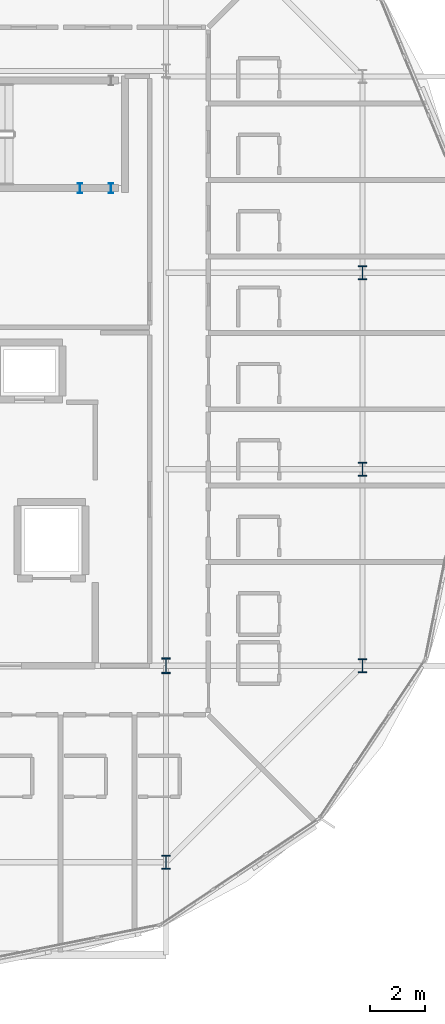
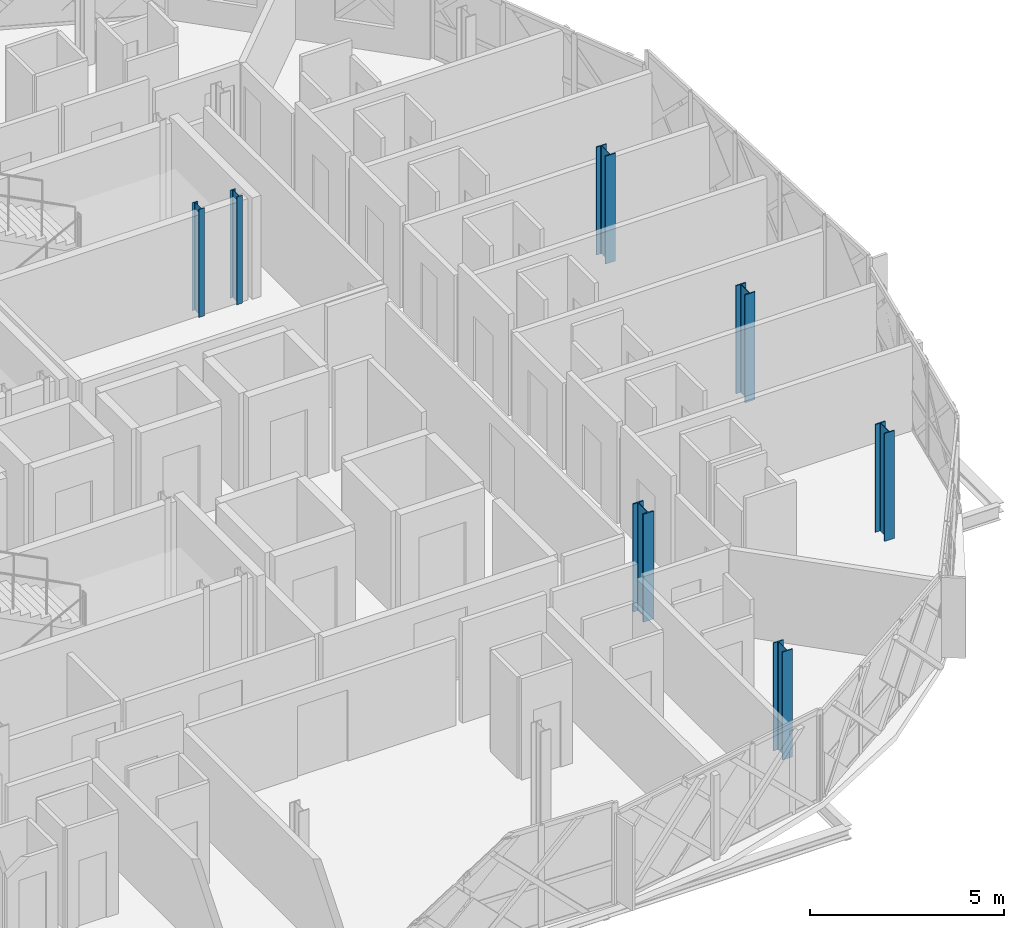
# One storey, part 2 of 26: 7 columns.
"""IFC4 building model written with IfcOpenShell, lengths in metres."""

from ifc_helpers import new_model, si_unit, direction, frame, origin, origin_2d, place, context, subcontext, project, spatial, i_section, extrude, material, material_profile, profile_set, type_object, element, save


model = new_model("IFC4")

# Units and contexts
model_context = context("Model", 3, precision=1e-05, world=origin(), true_north=direction((0.0, 1.0)))
body_context = subcontext(model_context, "Body", "Model", "MODEL_VIEW")
ifc_project = project(units=[si_unit("LENGTHUNIT", "METRE"), si_unit("AREAUNIT", "SQUARE_METRE"), si_unit("VOLUMEUNIT", "CUBIC_METRE"), si_unit("PLANEANGLEUNIT", "RADIAN"), si_unit("MASSUNIT", "GRAM", prefix="KILO")], contexts=[model_context])

# Site, building, storey
site_placement = place(None, origin())
site = spatial("IfcSite", under=ifc_project, at=site_placement, CompositionType="ELEMENT")
building_placement = place(site_placement, origin())
building = spatial("IfcBuilding", under=site, at=building_placement, Name="Zevrakil Square Congress Hotel", CompositionType="ELEMENT")
storey_placement = place(building_placement, frame((0.0, 0.0, 24.89990234375)))
storey = spatial("IfcBuildingStorey", under=building, at=storey_placement, Name="L07", CompositionType="ELEMENT", Elevation=24.89990234375)

# Columns
ifc_material_1 = material(Name="Steel S355", Category="steel")
ifc_material_profile_1 = material_profile(ifc_material_1, i_section(OverallWidth=0.300048828125, OverallDepth=0.5, WebThickness=0.014404296875, FlangeThickness=0.028076171875, FilletRadius=0.027099609375, at=origin_2d()), Name="HEB 500")
ifc_profile_set_1 = profile_set([ifc_material_profile_1], Name="Steel S355")
column_type_1 = type_object("IfcColumnType", Name="COL-HEB500", PredefinedType="COLUMN", material=ifc_profile_set_1)
for number, where, z_axis, x_axis, name in (
    (1, (156.0, 9.60009765625, 0.0), (0.0, 0.0, 1.0), (1.0, 0.0, 0.0), "L07 drum column DC04"),
    (2, (163.199951171875, 16.800048828125, 0.0), (0.0, 0.0, 1.0), (1.0, 0.0, 0.0), "L07 drum column DC05"),
    (3, (163.199951171875, 24.0, 0.0), (0.0, 0.0, 1.0), (1.0, 0.0, 0.0), "L07 drum column DC06"),
    (4, (163.199951171875, 31.199951171875, 0.0), (0.0, 0.0, 1.0), (1.0, 0.0, 0.0), "L07 drum column DC07"),
):
    element("IfcColumn", number, at=place(storey_placement, frame(where, z_axis=z_axis, x_axis=x_axis)), inside=storey, type_object=column_type_1, Name=name, PredefinedType="COLUMN", context=body_context, shape_type="SweptSolid", body=[
        extrude(i_section(OverallWidth=0.300048828125, OverallDepth=0.5, WebThickness=0.014404296875, FlangeThickness=0.028076171875, FilletRadius=0.027099609375, at=origin_2d()), origin(), (0.0, 0.0, 1.0), 3.400146484375),
    ])
ifc_material_2 = material(Name="Steel S355", Category="steel")
ifc_material_profile_2 = material_profile(ifc_material_2, i_section(OverallWidth=0.305908203125, OverallDepth=0.572021484375, WebThickness=0.02099609375, FlangeThickness=0.0400390625, FilletRadius=0.027099609375, at=origin_2d()), Name="HEM 550")
ifc_profile_set_2 = profile_set([ifc_material_profile_2], Name="Steel S355")
column_type_2 = type_object("IfcColumnType", Name="COL-HEM550", PredefinedType="COLUMN", material=ifc_profile_set_2)
column_placement = place(storey_placement, frame((156.0, 16.800048828125, 0.0), z_axis=(0.0, 0.0, 1.0), x_axis=(1.0, 0.0, 0.0)))
element("IfcColumn", 5, at=column_placement, inside=storey, type_object=column_type_2, Name="L07 column C-222", PredefinedType="COLUMN", context=body_context, shape_type="SweptSolid", body=[
    extrude(i_section(OverallWidth=0.305908203125, OverallDepth=0.572021484375, WebThickness=0.02099609375, FlangeThickness=0.0400390625, FilletRadius=0.027099609375, at=origin_2d()), origin(), (0.0, 0.0, 1.0), 3.400146484375),
])
ifc_material_3 = material(Name="Steel S355", Category="steel")
ifc_material_profile_3 = material_profile(ifc_material_3, i_section(OverallWidth=0.169921875, OverallDepth=0.360107421875, WebThickness=0.008056640625, FlangeThickness=0.0126953125, FilletRadius=0.01806640625, at=origin_2d()), Name="IPE 360")
ifc_profile_set_3 = profile_set([ifc_material_profile_3], Name="Steel S355")
column_type_3 = type_object("IfcColumnType", Name="COL-PILASTER-SHS180", PredefinedType="PILASTER", material=ifc_profile_set_3)
for number, where, z_axis, x_axis, name in (
    (6, (152.85009765625, 34.300048828125, 0.0), (0.0, 0.0, 1.0), (1.0, 0.0, 0.0), "L07 ST03 stair shaft post 1"),
    (7, (153.97998046875, 34.300048828125, 0.0), (0.0, 0.0, 1.0), (1.0, 0.0, 0.0), "L07 ST03 stair shaft post 2"),
):
    element("IfcColumn", number, at=place(storey_placement, frame(where, z_axis=z_axis, x_axis=x_axis)), inside=storey, type_object=column_type_3, Name=name, PredefinedType="PILASTER", context=body_context, shape_type="SweptSolid", body=[
        extrude(i_section(OverallWidth=0.169921875, OverallDepth=0.360107421875, WebThickness=0.008056640625, FlangeThickness=0.0126953125, FilletRadius=0.01806640625, at=origin_2d()), origin(), (0.0, 0.0, 1.0), 3.400146484375),
    ])

save(model, "model.ifc")
